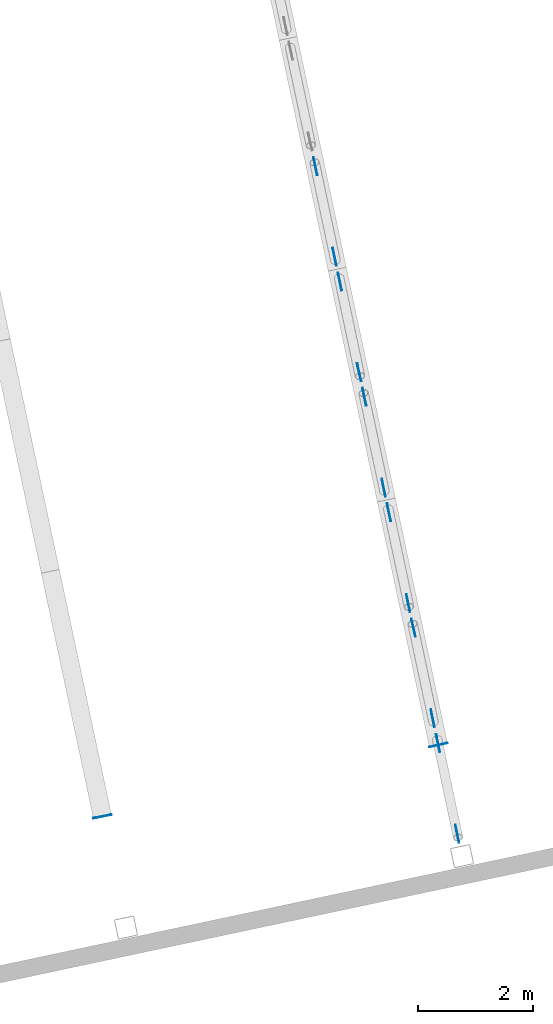
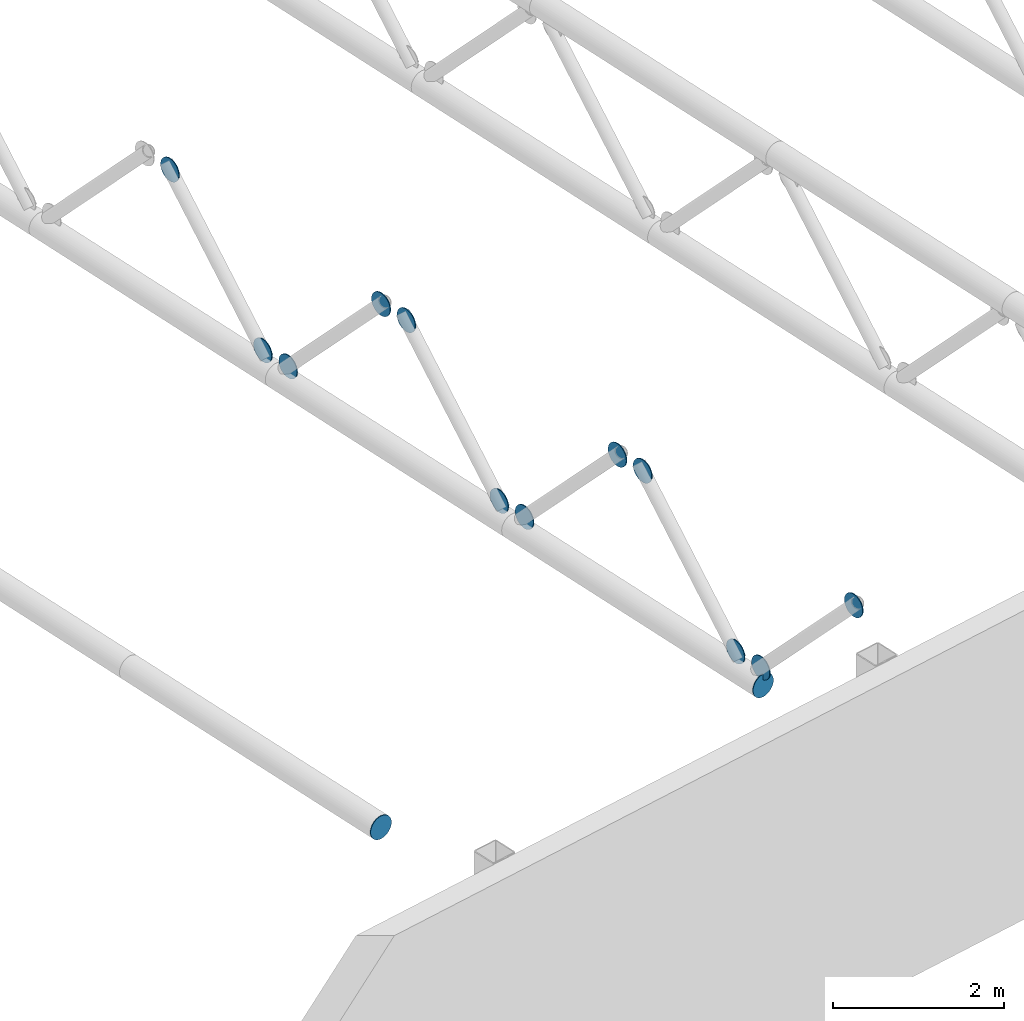
# One storey, part 43 of 58: 14 discrete accessories.
"""IFC4 building model written with IfcOpenShell, lengths in metres."""

from ifc_helpers import new_model, si_unit, direction, frame, origin, origin_2d, place, context, subcontext, project, spatial, circle, extrude, material, layer, layer_set, type_object, element, save


model = new_model("IFC4")

# Units and contexts
model_context = context("Model", 3, precision=1e-05, world=origin(), true_north=direction((0.0, 1.0)))
body_context = subcontext(model_context, "Body", "Model", "MODEL_VIEW")
ifc_project = project(units=[si_unit("LENGTHUNIT", "METRE"), si_unit("AREAUNIT", "SQUARE_METRE"), si_unit("VOLUMEUNIT", "CUBIC_METRE"), si_unit("PLANEANGLEUNIT", "RADIAN"), si_unit("MASSUNIT", "GRAM", prefix="KILO")], contexts=[model_context])

# Site, building, storey
site_placement = place(None, origin())
site = spatial("IfcSite", under=ifc_project, at=site_placement, CompositionType="ELEMENT")
building_placement = place(site_placement, origin())
building = spatial("IfcBuilding", under=site, at=building_placement, Name="Windward Yard Aquatics Centre", CompositionType="ELEMENT")
storey_placement = place(building_placement, frame((0.0, 0.0, 13.800048828125)))
storey = spatial("IfcBuildingStorey", under=building, at=storey_placement, Name="L03", CompositionType="ELEMENT", Elevation=13.800048828125)

# Discrete accessories
ifc_material = material(Name="Steel S355", Category="steel")
ifc_layer_1 = layer(ifc_material, 0.010009765625)
ifc_layer_set_1 = layer_set([ifc_layer_1], Name="End cap plate 10 mm CHS323.9x12.7")
discrete_accessory_type_1 = type_object("IfcDiscreteAccessoryType", Name="End cap plate 10 mm CHS323.9x12.7", PredefinedType="USERDEFINED", material=ifc_layer_set_1)
for number, where, z_axis, x_axis, name in (
    (1, (169.314697265625, 45.14404296875, 3.715087890625), (-0.196116135138, 0.980580675691, 0.0), (-0.980580675691, -0.196116135138, 0.0), "End cap"),
    (2, (175.18359375, 46.3916015625, 2.925537109375), (-0.219512195122, 0.975609756098, 0.0), (-0.975609756098, -0.219512195122, 0.0), "End cap"),
):
    element("IfcDiscreteAccessory", number, at=place(storey_placement, frame(where, z_axis=z_axis, x_axis=x_axis)), inside=storey, type_object=discrete_accessory_type_1, Name=name, ObjectType="END CAP", PredefinedType="USERDEFINED", context=body_context, shape_type="SweptSolid", body=[
        extrude(circle(Radius=0.161865234375, at=origin_2d()), origin(), (0.0, 0.0, 1.0), 0.010009765625),
    ])
ifc_layer_2 = layer(ifc_material, 0.011962890625)
ifc_layer_set_2 = layer_set([ifc_layer_2], Name="Gusset plate 320 mm disc 12 mm, roof frames")
discrete_accessory_type_2 = type_object("IfcDiscreteAccessoryType", Name="Gusset plate 320 mm disc 12 mm, roof frames", PredefinedType="USERDEFINED", material=ifc_layer_set_2)
for number, where, z_axis, x_axis, name in (
    (3, (175.50634765625, 44.8447265625, 4.890625), (0.978980419738, 0.203954254112, 0.0), (-0.203954254112, 0.978980419738, 0.0), "Gusset plate"),
    (4, (175.16943359375, 46.429443359375, 3.16064453125), (0.978980419738, 0.203954254112, 0.0), (-0.203954254112, 0.978980419738, 0.0), "Gusset plate"),
    (5, (174.7412109375, 48.444580078125, 4.890625), (0.974732318528, 0.223376156329, 0.0), (-0.223376156329, 0.974732318528, 0.0), "Gusset plate"),
    (6, (175.077880859375, 46.85986328125, 3.16064453125), (0.978980419738, 0.203954254112, 0.0), (-0.203954254112, 0.978980419738, 0.0), "Gusset plate"),
    (7, (174.649658203125, 48.875244140625, 4.890625), (0.978980419738, 0.203954254112, 0.0), (-0.203954254112, 0.978980419738, 0.0), "Gusset plate"),
    (8, (174.312744140625, 50.4599609375, 3.16064453125), (0.978980419738, 0.203954254112, 0.0), (-0.203954254112, 0.978980419738, 0.0), "Gusset plate"),
    (9, (173.884521484375, 52.47509765625, 4.890625), (0.978980419738, 0.203954254112, 0.0), (-0.203954254112, 0.978980419738, 0.0), "Gusset plate"),
    (10, (174.22119140625, 50.890380859375, 3.16064453125), (0.978980419738, 0.203954254112, 0.0), (-0.203954254112, 0.978980419738, 0.0), "Gusset plate"),
    (11, (173.79296875, 52.905517578125, 4.890625), (0.974732318528, 0.223376156329, 0.0), (-0.223376156329, 0.974732318528, 0.0), "Gusset plate"),
    (12, (173.4560546875, 54.490234375, 3.16064453125), (0.978980419738, 0.203954254112, 0.0), (-0.203954254112, 0.978980419738, 0.0), "Gusset plate"),
    (13, (173.02783203125, 56.505615234375, 4.890625), (0.978980419738, 0.203954254112, 0.0), (-0.203954254112, 0.978980419738, 0.0), "Gusset plate"),
    (14, (173.364501953125, 54.9208984375, 3.16064453125), (0.978980419738, 0.203954254112, 0.0), (-0.203954254112, 0.978980419738, 0.0), "Gusset plate"),
):
    element("IfcDiscreteAccessory", number, at=place(storey_placement, frame(where, z_axis=z_axis, x_axis=x_axis)), inside=storey, type_object=discrete_accessory_type_2, Name=name, ObjectType="GUSSET PLATE", PredefinedType="USERDEFINED", context=body_context, shape_type="SweptSolid", body=[
        extrude(circle(Radius=0.159912109375, at=origin_2d()), origin(), (0.0, 0.0, 1.0), 0.011962890625),
    ])

save(model, "model.ifc")
